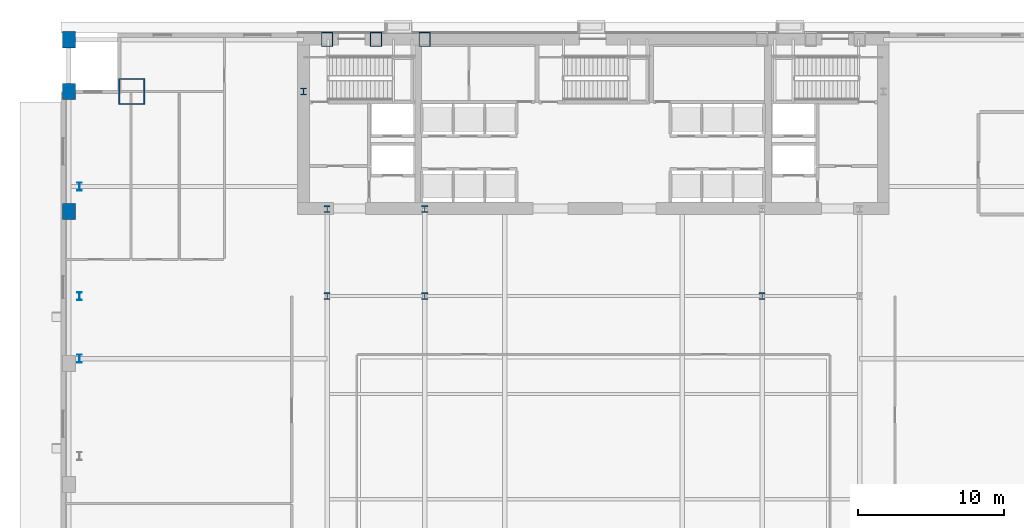
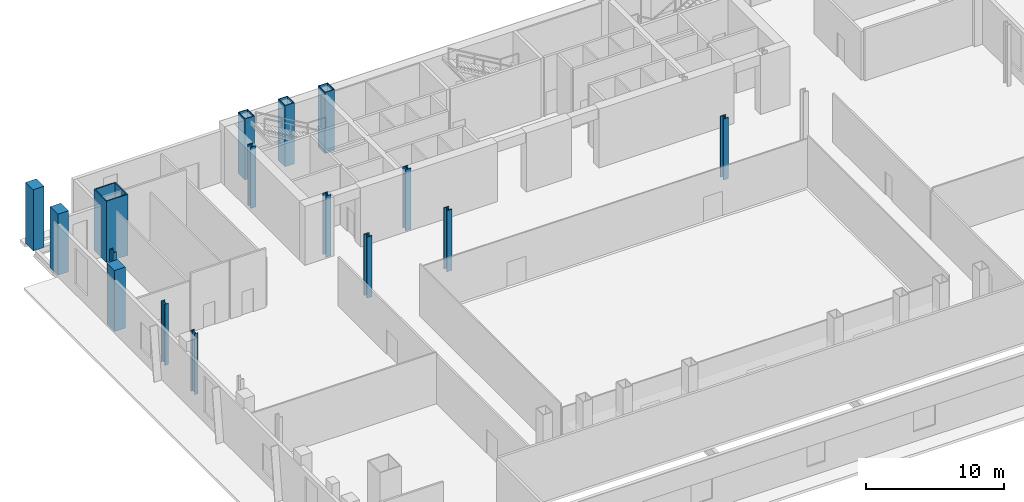
# One storey, part 4 of 16: 16 columns.
"""IFC4 building model written with IfcOpenShell, lengths in metres."""

from ifc_helpers import new_model, si_unit, direction, frame, origin, origin_2d, place, context, subcontext, project, spatial, rectangle, hollow_rectangle, i_section, extrude, material, material_profile, profile_set, type_object, element, save


model = new_model("IFC4")

# Units and contexts
model_context = context("Model", 3, precision=1e-05, world=origin(), true_north=direction((0.0, 1.0)))
body_context = subcontext(model_context, "Body", "Model", "MODEL_VIEW")
ifc_project = project(units=[si_unit("LENGTHUNIT", "METRE"), si_unit("AREAUNIT", "SQUARE_METRE"), si_unit("VOLUMEUNIT", "CUBIC_METRE"), si_unit("PLANEANGLEUNIT", "RADIAN"), si_unit("MASSUNIT", "GRAM", prefix="KILO")], contexts=[model_context])

# Site, building, storey
site_placement = place(None, origin())
site = spatial("IfcSite", under=ifc_project, at=site_placement, CompositionType="ELEMENT")
building_placement = place(site_placement, origin())
building = spatial("IfcBuilding", under=site, at=building_placement, Name="Khoronbel Lancet Exchange", CompositionType="ELEMENT")
storey_placement = place(building_placement, origin())
storey = spatial("IfcBuildingStorey", under=building, at=storey_placement, Name="L00", CompositionType="ELEMENT", Elevation=0.0)

# Columns
ifc_material_1 = material(Name="Steel S460", Category="steel")
ifc_material_profile_1 = material_profile(ifc_material_1, hollow_rectangle(XDim=0.800048828125, YDim=1.0, WallThickness=0.054931640625, at=origin_2d()), Name="BOX 1000x800x55")
ifc_profile_set_1 = profile_set([ifc_material_profile_1], Name="Steel S460")
column_type_1 = type_object("IfcColumnType", Name="COL-EC1", PredefinedType="COLUMN", material=ifc_profile_set_1)
for number, where, z_axis, x_axis, name in (
    (1, (18.22509765625, 53.280029296875, 0.0), (0.0, 0.0, 1.0), (1.0, 0.0, 0.0), "Structural column NC-W1 L00"),
    (2, (21.5625, 53.280029296875, 0.0), (0.0, 0.0, 1.0), (1.0, 0.0, 0.0), "Structural column NC-WM L00"),
    (3, (24.89990234375, 53.280029296875, 0.0), (0.0, 0.0, 1.0), (1.0, 0.0, 0.0), "Structural column NC-W2 L00"),
):
    element("IfcColumn", number, at=place(storey_placement, frame(where, z_axis=z_axis, x_axis=x_axis)), inside=storey, type_object=column_type_1, Name=name, PredefinedType="COLUMN", context=body_context, shape_type="SweptSolid", body=[
        extrude(hollow_rectangle(XDim=0.800048828125, YDim=1.0, WallThickness=0.054931640625, at=origin_2d()), origin(), (0.0, 0.0, 1.0), 5.39990234375),
    ])
ifc_material_profile_2 = material_profile(ifc_material_1, i_section(OverallWidth=0.424072265625, OverallDepth=0.47412109375, WebThickness=0.047607421875, FlangeThickness=0.076904296875, at=origin_2d()), Name="HD 400x634")
ifc_profile_set_2 = profile_set([ifc_material_profile_2], Name="Steel S460")
column_type_2 = type_object("IfcColumnType", Name="COL-IC1", PredefinedType="COLUMN", material=ifc_profile_set_2)
for number, where, z_axis, x_axis, name in (
    (4, (16.60009765625, 49.699951171875, 0.0), (0.0, 0.0, 1.0), (1.0, 0.0, 0.0), "Core-flank plumb transfer column CFW L00"),
    (5, (18.22509765625, 35.699951171875, 0.0), (0.0, 0.0, 1.0), (1.0, 0.0, 0.0), "Spine gravity column TC1 L00"),
    (6, (18.22509765625, 41.64990234375, 0.0), (0.0, 0.0, 1.0), (1.0, 0.0, 0.0), "Core-embedded steel column CTC1 L00"),
    (7, (24.89990234375, 35.699951171875, 0.0), (0.0, 0.0, 1.0), (1.0, 0.0, 0.0), "Spine gravity column TC2 L00"),
    (8, (24.89990234375, 41.64990234375, 0.0), (0.0, 0.0, 1.0), (1.0, 0.0, 0.0), "Core-embedded steel column CTC2 L00"),
    (9, (48.0, 35.699951171875, 0.0), (0.0, 0.0, 1.0), (1.0, 0.0, 0.0), "Spine gravity column TC3 L00"),
):
    element("IfcColumn", number, at=place(storey_placement, frame(where, z_axis=z_axis, x_axis=x_axis)), inside=storey, type_object=column_type_2, Name=name, PredefinedType="COLUMN", context=body_context, shape_type="SweptSolid", body=[
        extrude(i_section(OverallWidth=0.424072265625, OverallDepth=0.47412109375, WebThickness=0.047607421875, FlangeThickness=0.076904296875, at=origin_2d()), origin(), (0.0, 0.0, 1.0), 5.39990234375),
    ])
ifc_material_2 = material(Name="Steel S355", Category="steel")
ifc_material_profile_3 = material_profile(ifc_material_2, i_section(OverallWidth=0.300048828125, OverallDepth=0.550048828125, WebThickness=0.014892578125, FlangeThickness=0.029052734375, at=origin_2d()), Name="HEB 550")
ifc_profile_set_3 = profile_set([ifc_material_profile_3], Name="Steel S355")
column_type_3 = type_object("IfcColumnType", Name="COL-LC1", PredefinedType="COLUMN", material=ifc_profile_set_3)
for number, where, z_axis, x_axis, name in (
    (10, (1.27001953125, 31.425048828125, 0.0), (0.0, 0.0, 1.0), (1.0, 0.0, 0.0), "Structural column WC-M L00"),
    (11, (1.27001953125, 35.699951171875, 0.0), (0.0, 0.0, 1.0), (1.0, 0.0, 0.0), "Structural column WC-3 L00"),
    (12, (1.27001953125, 43.199951171875, 0.0), (0.0, 0.0, 1.0), (1.0, 0.0, 0.0), "Structural column WC-4 L00"),
):
    element("IfcColumn", number, at=place(storey_placement, frame(where, z_axis=z_axis, x_axis=x_axis)), inside=storey, type_object=column_type_3, Name=name, PredefinedType="COLUMN", context=body_context, shape_type="SweptSolid", body=[
        extrude(i_section(OverallWidth=0.300048828125, OverallDepth=0.550048828125, WebThickness=0.014892578125, FlangeThickness=0.029052734375, at=origin_2d()), origin(), (0.0, 0.0, 1.0), 5.39990234375),
    ])
ifc_material_profile_4 = material_profile(ifc_material_1, hollow_rectangle(XDim=1.800048828125, YDim=1.800048828125, WallThickness=0.080078125, at=origin_2d()), Name="BOX 1800x1800x80")
ifc_profile_set_4 = profile_set([ifc_material_profile_4], Name="Steel S460")
column_type_4 = type_object("IfcColumnType", Name="COL-MC1", PredefinedType="COLUMN", material=ifc_profile_set_4)
column_placement = place(storey_placement, frame((4.85009765625, 49.699951171875, 0.0), z_axis=(0.0, 0.0, 1.0), x_axis=(1.0, 0.0, 0.0)))
element("IfcColumn", 13, at=column_placement, inside=storey, type_object=column_type_4, Name="Structural column MC-NW L00", PredefinedType="COLUMN", context=body_context, shape_type="SweptSolid", body=[
    extrude(hollow_rectangle(XDim=1.800048828125, YDim=1.800048828125, WallThickness=0.080078125, at=origin_2d()), origin(), (0.0, 0.0, 1.0), 5.39990234375),
])
ifc_material_3 = material(Name="Concrete C60/75", Category="concrete")
ifc_material_profile_5 = material_profile(ifc_material_3, rectangle(XDim=0.89990234375, YDim=1.10009765625, at=origin_2d()), Name="RC 900x1100")
ifc_profile_set_5 = profile_set([ifc_material_profile_5], Name="Concrete C60/75")
column_type_5 = type_object("IfcColumnType", Name="COL-PIL1", PredefinedType="PILASTER", material=ifc_profile_set_5)
for number, where, z_axis, x_axis, name in (
    (14, (0.550048828125, 49.699951171875, 0.0), (0.0, 0.0, 1.0), (1.0, 0.0, 0.0), "Podium Gothic colonnade pilaster NWMC L00"),
    (15, (0.550048828125, 53.25, 0.0), (0.0, 0.0, 1.0), (1.0, 0.0, 0.0), "Podium Gothic colonnade pilaster NWP L00"),
    (16, (0.550048828125, 41.5, 0.0), (0.0, 0.0, 1.0), (1.0, 0.0, 0.0), "Podium Gothic colonnade pilaster W4 L00"),
):
    element("IfcColumn", number, at=place(storey_placement, frame(where, z_axis=z_axis, x_axis=x_axis)), inside=storey, type_object=column_type_5, Name=name, PredefinedType="PILASTER", context=body_context, shape_type="SweptSolid", body=[
        extrude(rectangle(XDim=0.89990234375, YDim=1.10009765625, at=origin_2d()), origin(), (0.0, 0.0, 1.0), 5.39990234375),
    ])

save(model, "model.ifc")
